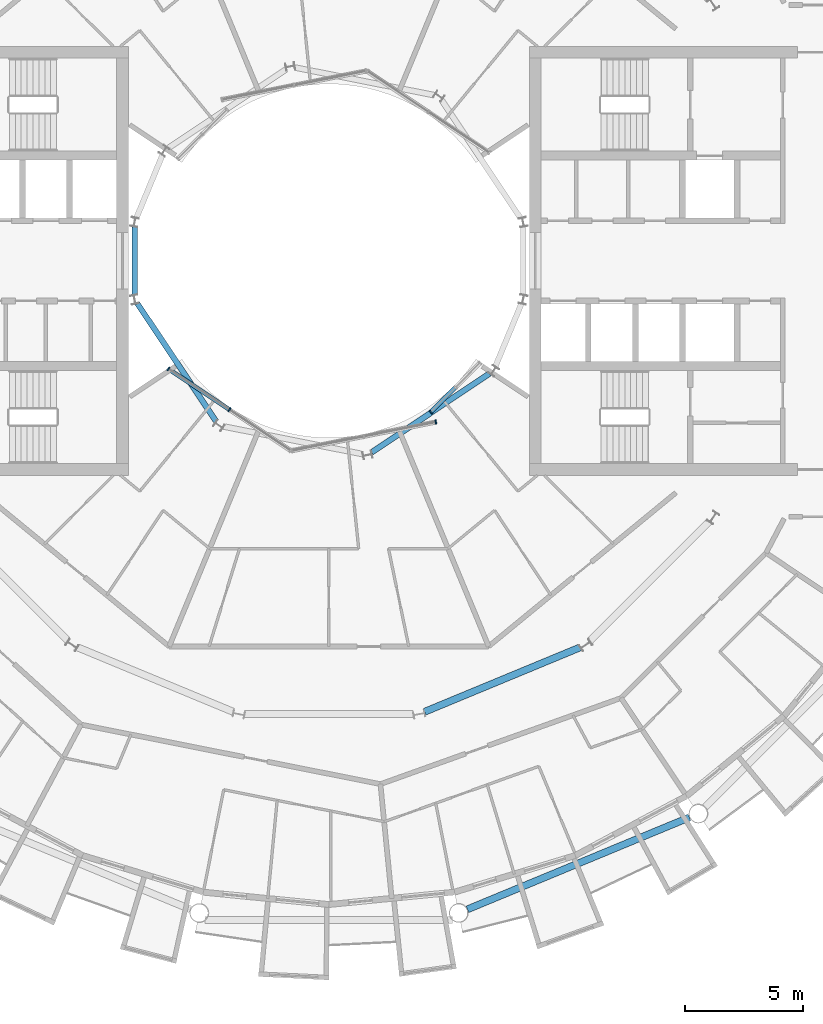
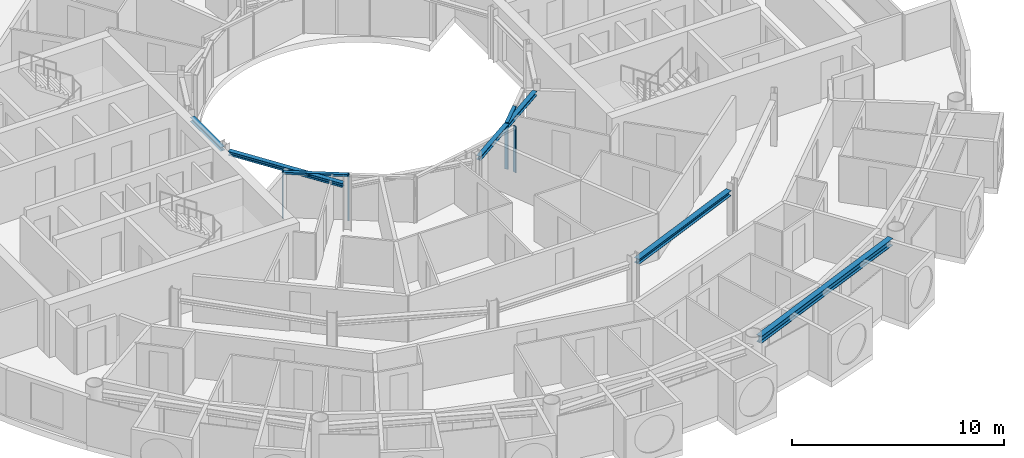
# One storey, part 6 of 26: 6 members, 5 beams, 3 elements without a shape of their own.
"""IFC4 building model written with IfcOpenShell, lengths in metres."""

from ifc_helpers import new_model, si_unit, direction, frame, origin, origin_2d, place, context, subcontext, project, spatial, rectangle, i_section, extrude, material, layer, layer_set, material_profile, profile_set, type_object, element, aggregate, save


model = new_model("IFC4")

# Units and contexts
model_context = context("Model", 3, precision=1e-05, world=origin(), true_north=direction((0.0, 1.0)))
body_context = subcontext(model_context, "Body", "Model", "MODEL_VIEW")
ifc_project = project(units=[si_unit("LENGTHUNIT", "METRE"), si_unit("AREAUNIT", "SQUARE_METRE"), si_unit("VOLUMEUNIT", "CUBIC_METRE"), si_unit("PLANEANGLEUNIT", "RADIAN"), si_unit("MASSUNIT", "GRAM", prefix="KILO")], contexts=[model_context])

# Site, building, storey
site_placement = place(None, origin())
site = spatial("IfcSite", under=ifc_project, at=site_placement, CompositionType="ELEMENT")
building_placement = place(site_placement, origin())
building = spatial("IfcBuilding", under=site, at=building_placement, Name="Maasbend Ring Residences", CompositionType="ELEMENT")
storey_placement = place(building_placement, frame((0.0, 0.0, 176.85009765625)))
storey = spatial("IfcBuildingStorey", under=building, at=storey_placement, Name="L51", CompositionType="ELEMENT", Elevation=176.85009765625)

# Curtain wall, members
ifc_material_1 = material(Name="Aluminium and clear glass", Category="aluminium")
ifc_layer = layer(ifc_material_1, 0.179931640625)
ifc_layer_set = layer_set([ifc_layer], Name="CW-W")
curtain_wall_type = type_object("IfcCurtainWallType", Name="CW-W", PredefinedType="NOTDEFINED", material=ifc_layer_set)
curtain_wall_1_placement = place(storey_placement, origin())
curtain_wall_1 = element("IfcCurtainWall", 1, at=curtain_wall_1_placement, inside=storey, type_object=curtain_wall_type, Name="Well curtain wall S1", PredefinedType="NOTDEFINED")
ifc_material_2 = material(Name="Aluminium 6063-T6", Category="aluminium")
ifc_material_profile_1 = material_profile(ifc_material_2, rectangle(XDim=0.179931640625, YDim=0.06005859375, at=origin_2d()), Name="AL 180x60")
ifc_profile_set_1 = profile_set([ifc_material_profile_1], Name="Aluminium 6063-T6")
member_type_1 = type_object("IfcMemberType", Name="CWM-W", PredefinedType="MULLION", material=ifc_profile_set_1)
member_1_placement = place(storey_placement, frame((-6.805908203125, -4.580810546875, 0.0), z_axis=(0.0, 0.0, 1.0), x_axis=(0.55557023302, 0.831469612303, 0.0)))
member_1 = element("IfcMember", 2, at=member_1_placement, type_object=member_type_1, Name="Mullion well face", PredefinedType="MULLION", context=body_context, shape_type="SweptSolid", body=[
    extrude(rectangle(XDim=0.179931640625, YDim=0.06005859375, at=origin_2d()), origin(), (0.0, 0.0, 1.0), 2.64990234375),
])
member_2_placement = place(storey_placement, frame((-4.216796875, -6.310791015625, 0.0), z_axis=(0.0, 0.0, 1.0), x_axis=(0.55557023302, 0.831469612303, 0.0)))
member_2 = element("IfcMember", 3, at=member_2_placement, type_object=member_type_1, Name="Mullion well face", PredefinedType="MULLION", context=body_context, shape_type="SweptSolid", body=[
    extrude(rectangle(XDim=0.179931640625, YDim=0.06005859375, at=origin_2d()), origin(), (0.0, 0.0, 1.0), 2.64990234375),
])

# Curtain wall, member
curtain_wall_2_placement = place(storey_placement, origin())
curtain_wall_2 = element("IfcCurtainWall", 4, at=curtain_wall_2_placement, inside=storey, type_object=curtain_wall_type, Name="Well curtain wall S2", PredefinedType="NOTDEFINED")
member_3_placement = place(storey_placement, frame((4.53466796875, -6.836669921875, 0.0), z_axis=(0.0, 0.0, 1.0), x_axis=(-0.195090322016, 0.980785280403, 0.0)))
member_3 = element("IfcMember", 5, at=member_3_placement, type_object=member_type_1, Name="Mullion well face", PredefinedType="MULLION", context=body_context, shape_type="SweptSolid", body=[
    extrude(rectangle(XDim=0.179931640625, YDim=0.06005859375, at=origin_2d()), origin(), (0.0, 0.0, 1.0), 2.64990234375),
])
aggregate(curtain_wall_2, [member_3])

curtain_wall_3_placement = place(storey_placement, origin())
curtain_wall_3 = element("IfcCurtainWall", 6, at=curtain_wall_3_placement, inside=storey, type_object=curtain_wall_type, Name="Well curtain wall S3", PredefinedType="NOTDEFINED")
member_4_placement = place(storey_placement, frame((4.320556640625, -6.413330078125, 0.0), z_axis=(0.0, 0.0, 1.0), x_axis=(-0.707106781187, 0.707106781187, 0.0)))
member_4 = element("IfcMember", 7, at=member_4_placement, type_object=member_type_1, Name="Mullion well face", PredefinedType="MULLION", context=body_context, shape_type="SweptSolid", body=[
    extrude(rectangle(XDim=0.179931640625, YDim=0.06005859375, at=origin_2d()), origin(), (0.0, 0.0, 1.0), 2.64990234375),
])

# Member
ifc_material_3 = material(Name="Aluminium 6063-T6", Category="aluminium")
ifc_material_profile_2 = material_profile(ifc_material_3, rectangle(XDim=0.179931640625, YDim=0.1201171875, at=origin_2d()), Name="AL 180x120")
ifc_profile_set_2 = profile_set([ifc_material_profile_2], Name="Aluminium 6063-T6")
member_type_2 = type_object("IfcMemberType", Name="CWT-W", PredefinedType="USERDEFINED", material=ifc_profile_set_2)
member_5_placement = place(storey_placement, frame((-6.781005859375, -4.59765625, 2.58984375), z_axis=(0.831496422459, -0.555530106689, 0.0), x_axis=(0.555530106689, 0.831496422459, 0.0)))
member_5 = element("IfcMember", 8, at=member_5_placement, type_object=member_type_2, Name="Transom well face", ObjectType="TRANSOM", PredefinedType="USERDEFINED", context=body_context, shape_type="SweptSolid", body=[
    extrude(rectangle(XDim=0.179931640625, YDim=0.1201171875, at=origin_2d()), origin(), (0.0, 0.0, 1.0), 3.053955078125),
])

aggregate(curtain_wall_1, [member_1, member_2, member_5])

member_6_placement = place(storey_placement, frame((4.341796875, -6.39208984375, 2.58984375), z_axis=(0.707106781187, 0.707106781187, 0.0), x_axis=(-0.707106781187, 0.707106781187, 0.0)))
member_6 = element("IfcMember", 9, at=member_6_placement, type_object=member_type_2, Name="Transom well face", ObjectType="TRANSOM", PredefinedType="USERDEFINED", context=body_context, shape_type="SweptSolid", body=[
    extrude(rectangle(XDim=0.179931640625, YDim=0.1201171875, at=origin_2d()), origin(), (0.0, 0.0, 1.0), 1.419677734375),
])

aggregate(curtain_wall_3, [member_4, member_6])

# Beams
ifc_material_4 = material(Name="Steel S355J2", Category="steel")
ifc_material_profile_3 = material_profile(ifc_material_4, i_section(OverallWidth=0.300048828125, OverallDepth=0.2900390625, WebThickness=0.008544921875, FlangeThickness=0.013916015625, FilletRadius=0.027099609375, at=origin_2d()), Name="HEA 300")
ifc_profile_set_3 = profile_set([ifc_material_profile_3], Name="Steel S355J2")
beam_type_1 = type_object("IfcBeamType", Name="Corridor ring beam HEA 300", PredefinedType="BEAM", material=ifc_profile_set_3)
beam_1_placement = place(storey_placement, frame((4.059326171875, -19.1259765625, 2.5048828125), z_axis=(0.923871339849, 0.382703210602, 0.0), x_axis=(-0.382703210602, 0.923871339849, 0.0)))
element("IfcBeam", 10, at=beam_1_placement, inside=storey, type_object=beam_type_1, Name="Corridor ring beam", PredefinedType="BEAM", context=body_context, shape_type="SweptSolid", body=[
    extrude(i_section(OverallWidth=0.300048828125, OverallDepth=0.2900390625, WebThickness=0.008544921875, FlangeThickness=0.013916015625, FilletRadius=0.027099609375, at=origin_2d()), origin(), (0.0, 0.0, 1.0), 7.137939453125),
])
ifc_material_5 = material(Name="Steel S355J2", Category="steel")
ifc_material_profile_4 = material_profile(ifc_material_5, i_section(OverallWidth=0.300048828125, OverallDepth=0.39990234375, WebThickness=0.013427734375, FlangeThickness=0.02392578125, FilletRadius=0.027099609375, at=origin_2d()), Name="HEB 400")
ifc_profile_set_4 = profile_set([ifc_material_profile_4], Name="Steel S355J2")
beam_type_2 = type_object("IfcBeamType", Name="Spandrel ring beam HEB 400", PredefinedType="SPANDREL", material=ifc_profile_set_4)
beam_2_placement = place(storey_placement, frame((5.877197265625, -27.50244140625, 2.449951171875), z_axis=(0.923883676188, 0.382673428492, 0.0), x_axis=(-0.382673428492, 0.923883676188, 0.0)))
element("IfcBeam", 11, at=beam_2_placement, inside=storey, type_object=beam_type_2, Name="Spandrel ring beam", PredefinedType="SPANDREL", context=body_context, shape_type="SweptSolid", body=[
    extrude(i_section(OverallWidth=0.300048828125, OverallDepth=0.39990234375, WebThickness=0.013427734375, FlangeThickness=0.02392578125, FilletRadius=0.027099609375, at=origin_2d()), origin(), (0.0, 0.0, 1.0), 10.18994140625),
])
ifc_material_6 = material(Name="Steel S355J2", Category="steel")
ifc_material_profile_5 = material_profile(ifc_material_6, i_section(OverallWidth=0.239990234375, OverallDepth=0.22998046875, WebThickness=0.007568359375, FlangeThickness=0.011962890625, FilletRadius=0.02099609375, at=origin_2d()), Name="HEA 240")
ifc_profile_set_5 = profile_set([ifc_material_profile_5], Name="Steel S355J2")
beam_type_3 = type_object("IfcBeamType", Name="Well edge beam HEA 240", PredefinedType="BEAM", material=ifc_profile_set_5)
beam_3_placement = place(storey_placement, frame((-8.238525390625, 1.43994140625, 2.534912109375), z_axis=(0.0, -1.0, 0.0), x_axis=(1.0, 0.0, 0.0)))
element("IfcBeam", 12, at=beam_3_placement, inside=storey, type_object=beam_type_3, Name="Well edge beam", PredefinedType="BEAM", context=body_context, shape_type="SweptSolid", body=[
    extrude(i_section(OverallWidth=0.239990234375, OverallDepth=0.22998046875, WebThickness=0.007568359375, FlangeThickness=0.011962890625, FilletRadius=0.02099609375, at=origin_2d()), origin(), (0.0, 0.0, 1.0), 2.8798828125),
])
for number, where, z_axis, x_axis, name in (
    (13, (-8.121337890625, -1.814208984375, 2.534912109375), (0.555553413909, -0.831480850227, 0.0), (0.831480850227, 0.555553413909, 0.0), "Well edge beam"),
    (14, (1.814208984375, -8.121337890625, 2.534912109375), (0.831480850227, 0.555553413909, 0.0), (-0.555553413909, 0.831480850227, 0.0), "Well edge beam"),
):
    element("IfcBeam", number, at=place(storey_placement, frame(where, z_axis=z_axis, x_axis=x_axis)), inside=storey, type_object=beam_type_3, Name=name, PredefinedType="BEAM", context=body_context, shape_type="SweptSolid", body=[
        extrude(i_section(OverallWidth=0.239990234375, OverallDepth=0.22998046875, WebThickness=0.007568359375, FlangeThickness=0.011962890625, FilletRadius=0.02099609375, at=origin_2d()), origin(), (0.0, 0.0, 1.0), 6.0068359375),
    ])

save(model, "model.ifc")
